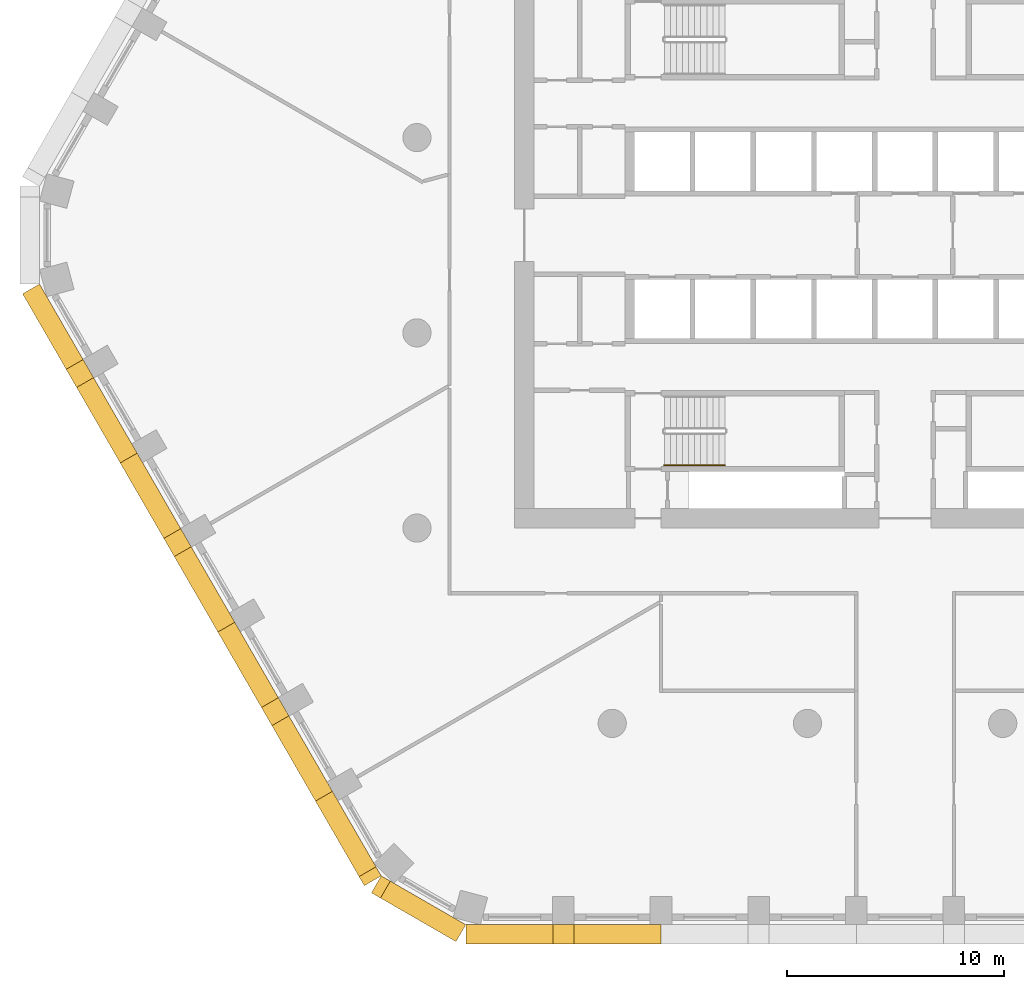
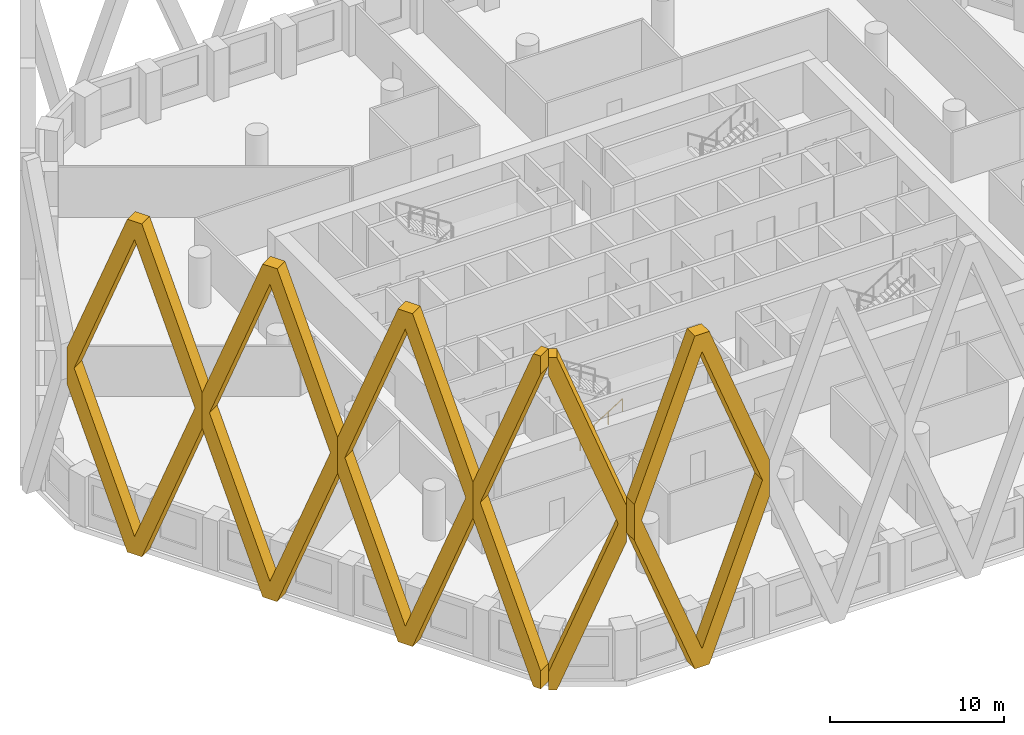
# One storey, part 10 of 18: 6 coverings, 1 railing.
"""IFC4 building model written with IfcOpenShell, lengths in metres."""

from ifc_helpers import new_model, si_unit, direction, frame, origin, origin_2d, place, context, subcontext, project, spatial, polyline, circle, outline, extrude, material, type_object, element, save


model = new_model("IFC4")

# Units and contexts
model_context = context("Model", 3, precision=1e-05, world=origin(), true_north=direction((0.0, 1.0)))
body_context = subcontext(model_context, "Body", "Model", "MODEL_VIEW")
ifc_project = project(units=[si_unit("LENGTHUNIT", "METRE"), si_unit("AREAUNIT", "SQUARE_METRE"), si_unit("VOLUMEUNIT", "CUBIC_METRE"), si_unit("PLANEANGLEUNIT", "RADIAN"), si_unit("MASSUNIT", "GRAM", prefix="KILO")], contexts=[model_context])

# Site, building, storey
site_placement = place(None, origin())
site = spatial("IfcSite", under=ifc_project, at=site_placement, CompositionType="ELEMENT")
building_placement = place(site_placement, origin())
building = spatial("IfcBuilding", under=site, at=building_placement, Name="Dhurran Vertical Campus", CompositionType="ELEMENT")
storey_placement = place(building_placement, frame((0.0, 0.0, 81.300048828125)))
storey = spatial("IfcBuildingStorey", under=building, at=storey_placement, Name="L19", CompositionType="ELEMENT", Elevation=81.300048828125)

# Coverings
ifc_material_1 = material(Name="Precast concrete C50/60", Category="concrete")
covering_type = type_object("IfcCoveringType", Name="Folded precast fin lattice diamond", PredefinedType="USERDEFINED", material=ifc_material_1)
for number, where, z_axis, x_axis, name in (
    (1, (-20.25, -31.77978515625, 0.0), (0.0, -1.0, 0.0), (1.0, 0.0, 0.0), "FN1 L19.001"),
    (2, (-39.897216796875, -2.25, 0.0), (-0.866013897511, -0.50001992892, 0.0), (0.50001992892, -0.866013897511, 0.0), "FN1 L19.028"),
    (3, (-35.397216796875, -10.044189453125, 0.0), (-0.866013897511, -0.50001992892, 0.0), (0.50001992892, -0.866013897511, 0.0), "FN1 L19.029"),
    (4, (-30.897216796875, -17.83837890625, 0.0), (-0.865896406789, -0.500223362819, 0.0), (0.500223362819, -0.865896406789, 0.0), "FN1 L19.030"),
):
    element("IfcCovering", number, at=place(storey_placement, frame(where, z_axis=z_axis, x_axis=x_axis)), inside=storey, type_object=covering_type, Name=name, ObjectType="FIN", PredefinedType="USERDEFINED", context=body_context, shape_type="SweptSolid", body=[
        extrude(outline(polyline([(9.0, 12.95361328125), (9.0, 10.4462890625), (4.982177734375, 0.0), (4.017822265625, 0.0), (0.0, 10.4462890625), (0.0, 12.95361328125), (4.017822265625, 23.39990234375), (4.982177734375, 23.39990234375), (9.0, 12.95361328125)]), holes=[polyline([(8.517822265625, 11.699951171875), (4.5, 22.146484375), (0.482177734375, 11.699951171875), (4.5, 1.253662109375), (8.517822265625, 11.699951171875)])]), origin(), (0.0, 0.0, 1.0), 0.89990234375),
    ])
covering_1_placement = place(storey_placement, frame((-26.397216796875, -25.6328125, 0.0), z_axis=(-0.866013897511, -0.50001992892, 0.0), x_axis=(0.50001992892, -0.866013897511, 0.0)))
element("IfcCovering", 5, at=covering_1_placement, inside=storey, type_object=covering_type, Name="FN1 L19.031", ObjectType="FIN", PredefinedType="USERDEFINED", context=body_context, shape_type="SweptSolid", body=[
    extrude(outline(polyline([(4.017822265625, 0.0), (0.0, 10.4462890625), (0.0, 12.95361328125), (4.017822265625, 23.39990234375), (4.5, 23.39990234375), (4.5, 22.146484375), (0.482177734375, 11.699951171875), (4.5, 1.253662109375), (4.5, 0.0), (4.017822265625, 0.0)])), origin(), (0.0, 0.0, 1.0), 0.89990234375),
])
covering_2_placement = place(storey_placement, frame((-24.147216796875, -29.52978515625, 0.0), z_axis=(-0.50001992892, -0.866013897511, 0.0), x_axis=(0.866013897511, -0.50001992892, 0.0)))
element("IfcCovering", 6, at=covering_2_placement, inside=storey, type_object=covering_type, Name="FN1 L19.032", ObjectType="FIN", PredefinedType="USERDEFINED", context=body_context, shape_type="SweptSolid", body=[
    extrude(outline(polyline([(4.5, 10.4462890625), (0.482177734375, 0.0), (0.0, 0.0), (0.0, 1.253662109375), (4.017822265625, 11.699951171875), (0.0, 22.146484375), (0.0, 23.39990234375), (0.482177734375, 23.39990234375), (4.5, 12.95361328125), (4.5, 10.4462890625)])), origin(), (0.0, 0.0, 1.0), 0.89990234375),
])

# Railing
ifc_material_2 = material(Name="Stainless steel handrail", Category="steel")
railing_type = type_object("IfcRailingType", Name="co-RL-HANDRAIL-900", PredefinedType="HANDRAIL", material=ifc_material_2)
railing_placement = place(storey_placement, frame((-11.10009765625, -10.60009765625, 0.17724609375)))
element("IfcRailing", 7, at=railing_placement, inside=storey, type_object=railing_type, Name="L19 ST3 stair handrail 1", PredefinedType="HANDRAIL", context=body_context, shape_type="SweptSolid", body=[
    extrude(circle(Radius=0.02392578125, at=origin_2d()), frame((0.0, 0.0, 0.8759765625), z_axis=(0.844908973607, 0.0, 0.534910110503), x_axis=(0.0, 1.0, 0.0)), (0.0, 0.0, 1.0), 3.31396484375),
    extrude(circle(Radius=0.02099609375, at=origin_2d()), origin(), (0.0, 0.0, 1.0), 0.851806640625),
    extrude(circle(Radius=0.02099609375, at=origin_2d()), frame((0.933349609375, 0.0, 0.5908203125)), (0.0, 0.0, 1.0), 0.851806640625),
    extrude(circle(Radius=0.02099609375, at=origin_2d()), frame((1.86669921875, 0.0, 1.181884765625)), (0.0, 0.0, 1.0), 0.851806640625),
    extrude(circle(Radius=0.02099609375, at=origin_2d()), frame((2.800048828125, 0.0, 1.772705078125)), (0.0, 0.0, 1.0), 0.851806640625),
])

save(model, "model.ifc")
